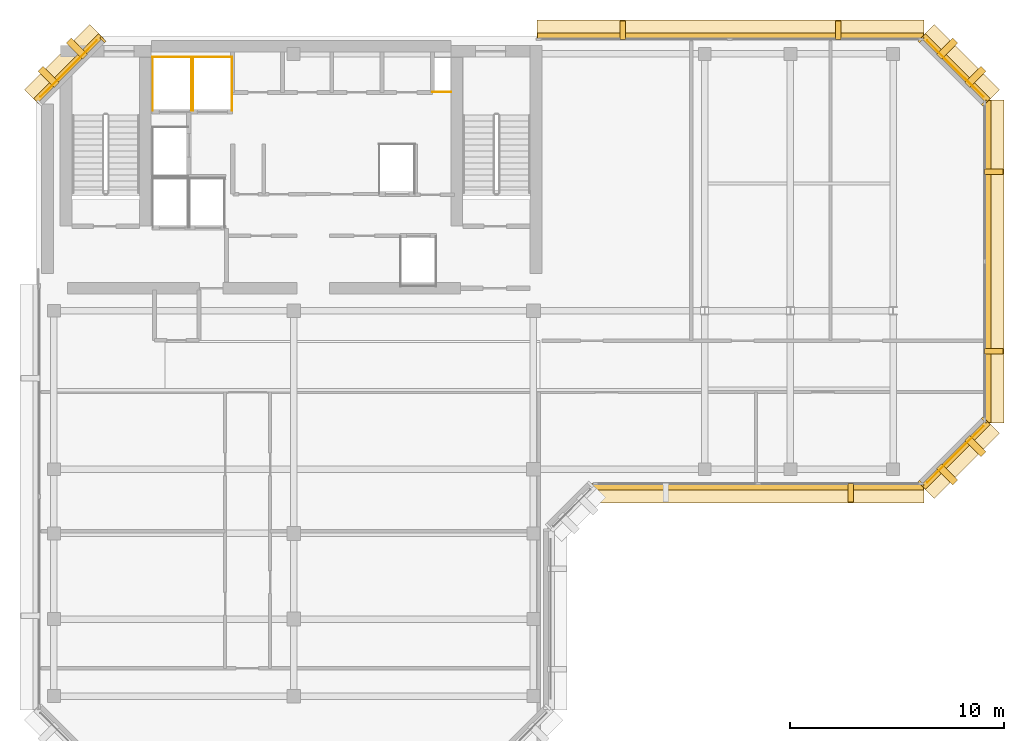
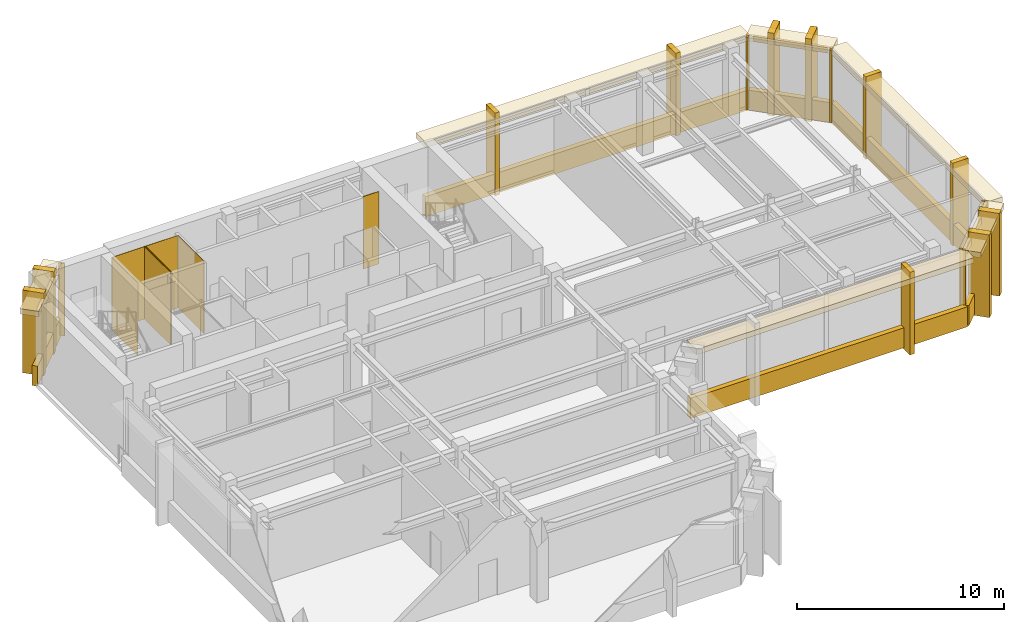
# One storey, part 9 of 9: 38 coverings.
"""IFC4 building model written with IfcOpenShell, lengths in metres."""

from ifc_helpers import new_model, si_unit, direction, frame, origin, origin_2d, place, context, subcontext, project, spatial, polyline, rectangle, outline, extrude, material, layer, layer_set, type_object, element, save


model = new_model("IFC4")

# Units and contexts
model_context = context("Model", 3, precision=1e-05, world=origin(), true_north=direction((0.0, 1.0)))
body_context = subcontext(model_context, "Body", "Model", "MODEL_VIEW")
ifc_project = project(units=[si_unit("LENGTHUNIT", "METRE"), si_unit("AREAUNIT", "SQUARE_METRE"), si_unit("VOLUMEUNIT", "CUBIC_METRE"), si_unit("PLANEANGLEUNIT", "RADIAN"), si_unit("MASSUNIT", "GRAM", prefix="KILO")], contexts=[model_context])

# Site, building, storey
site_placement = place(None, origin())
site = spatial("IfcSite", under=ifc_project, at=site_placement, CompositionType="ELEMENT")
building_placement = place(site_placement, origin())
building = spatial("IfcBuilding", under=site, at=building_placement, Name="Kefirva Bronze Tower", CompositionType="ELEMENT")
storey_placement = place(building_placement, frame((0.0, 0.0, 361.35009765625)))
storey = spatial("IfcBuildingStorey", under=building, at=storey_placement, Name="L88", CompositionType="ELEMENT", Elevation=361.35009765625)

# Coverings
ifc_material = material(Name="Bronze anodised aluminium", Category="aluminium")
ifc_layer_1 = layer(ifc_material, 0.02001953125, Name="Bronze anodised aluminium")
ifc_layer_set_1 = layer_set([ifc_layer_1], Name="Bronze anodised aluminium")
covering_type_1 = type_object("IfcCoveringType", Name="Anodised Bronze Spandrel Cladding 20mm", PredefinedType="CLADDING", material=ifc_layer_set_1)
covering_1_placement = place(storey_placement, frame((33.699951171875, 24.9599609375, -0.16015625), z_axis=(0.0, 0.0, 1.0), x_axis=(1.0, 0.0, 0.0)))
element("IfcCovering", 1, at=covering_1_placement, inside=storey, type_object=covering_type_1, Name="L88 Streamline Horizontal Spandrel Band 4", PredefinedType="CLADDING", context=body_context, shape_type="SweptSolid", body=[
    extrude(rectangle(XDim=15.43994140625, YDim=0.280029296875, at=origin_2d()), origin(), (0.0, 0.0, 1.0), 1.179931640625),
])
covering_2_placement = place(storey_placement, frame((42.906982421875, 26.492919921875, 3.849853515625), z_axis=(0.0, 0.0, 1.0), x_axis=(0.707106781187, 0.707106781187, 0.0)))
element("IfcCovering", 2, at=covering_2_placement, inside=storey, type_object=covering_type_1, Name="L88 Bronze Spandrel Cladding 4", PredefinedType="CLADDING", context=body_context, shape_type="SweptSolid", body=[
    extrude(rectangle(XDim=3.719482421875, YDim=0.02001953125, at=origin_2d()), origin(), (0.0, 0.0, 1.0), 0.39990234375),
])
for number, where, z_axis, x_axis, name in (
    (3, (41.311767578125, 25.137939453125, 0.0), (0.0, 0.0, 1.0), (0.707106781187, 0.707106781187, 0.0), "L88 Facade Joint Closure Panel 4S"),
    (4, (44.26220703125, 28.08837890625, 0.0), (0.0, 0.0, 1.0), (0.707106781187, 0.707106781187, 0.0), "L88 Facade Joint Closure Panel 4E"),
):
    element("IfcCovering", number, at=place(storey_placement, frame(where, z_axis=z_axis, x_axis=x_axis)), inside=storey, type_object=covering_type_1, Name=name, PredefinedType="CLADDING", context=body_context, shape_type="SweptSolid", body=[
        extrude(rectangle(XDim=0.10009765625, YDim=0.320068359375, at=origin_2d()), origin(), (0.0, 0.0, 1.0), 4.27001953125),
    ])
covering_3_placement = place(storey_placement, frame((42.92822265625, 26.4716796875, -0.16015625), z_axis=(0.0, 0.0, 1.0), x_axis=(0.707106781187, 0.707106781187, 0.0)))
element("IfcCovering", 5, at=covering_3_placement, inside=storey, type_object=covering_type_1, Name="L88 Streamline Horizontal Spandrel Band 5", PredefinedType="CLADDING", context=body_context, shape_type="SweptSolid", body=[
    extrude(rectangle(XDim=4.28271484375, YDim=0.280029296875, at=origin_2d()), origin(), (0.0, 0.0, 1.0), 1.179931640625),
])
covering_4_placement = place(storey_placement, frame((44.43994140625, 35.5, -0.16015625), z_axis=(0.0, 0.0, 1.0), x_axis=(0.0, 1.0, 0.0)))
element("IfcCovering", 6, at=covering_4_placement, inside=storey, type_object=covering_type_1, Name="L88 Streamline Horizontal Spandrel Band 6", PredefinedType="CLADDING", context=body_context, shape_type="SweptSolid", body=[
    extrude(rectangle(XDim=15.0400390625, YDim=0.280029296875, at=origin_2d()), origin(), (0.0, 0.0, 1.0), 1.179931640625),
])
covering_5_placement = place(storey_placement, frame((42.906982421875, 44.507080078125, 3.849853515625), z_axis=(0.0, 0.0, 1.0), x_axis=(-0.707106781187, 0.707106781187, 0.0)))
element("IfcCovering", 7, at=covering_5_placement, inside=storey, type_object=covering_type_1, Name="L88 Bronze Spandrel Cladding 5", PredefinedType="CLADDING", context=body_context, shape_type="SweptSolid", body=[
    extrude(rectangle(XDim=3.719482421875, YDim=0.02001953125, at=origin_2d()), origin(), (0.0, 0.0, 1.0), 0.39990234375),
])
for number, where, z_axis, x_axis, name in (
    (8, (44.26220703125, 42.91162109375, 0.0), (0.0, 0.0, 1.0), (-0.707106781187, 0.707106781187, 0.0), "L88 Facade Joint Closure Panel 5S"),
    (9, (41.311767578125, 45.862060546875, 0.0), (0.0, 0.0, 1.0), (-0.707106781187, 0.707106781187, 0.0), "L88 Facade Joint Closure Panel 5E"),
):
    element("IfcCovering", number, at=place(storey_placement, frame(where, z_axis=z_axis, x_axis=x_axis)), inside=storey, type_object=covering_type_1, Name=name, PredefinedType="CLADDING", context=body_context, shape_type="SweptSolid", body=[
        extrude(rectangle(XDim=0.10009765625, YDim=0.320068359375, at=origin_2d()), origin(), (0.0, 0.0, 1.0), 4.27001953125),
    ])
covering_6_placement = place(storey_placement, frame((42.92822265625, 44.5283203125, -0.16015625), z_axis=(0.0, 0.0, 1.0), x_axis=(-0.707106781187, 0.707106781187, 0.0)))
element("IfcCovering", 10, at=covering_6_placement, inside=storey, type_object=covering_type_1, Name="L88 Streamline Horizontal Spandrel Band 7", PredefinedType="CLADDING", context=body_context, shape_type="SweptSolid", body=[
    extrude(rectangle(XDim=4.28271484375, YDim=0.280029296875, at=origin_2d()), origin(), (0.0, 0.0, 1.0), 1.179931640625),
])
covering_7_placement = place(storey_placement, frame((32.402587890625, 46.0400390625, -0.16015625), z_axis=(0.0, 0.0, 1.0), x_axis=(-1.0, 0.0, 0.0)))
element("IfcCovering", 11, at=covering_7_placement, inside=storey, type_object=covering_type_1, Name="L88 Streamline Horizontal Spandrel Band 8", PredefinedType="CLADDING", context=body_context, shape_type="SweptSolid", body=[
    extrude(rectangle(XDim=18.034912109375, YDim=0.280029296875, at=origin_2d()), origin(), (0.0, 0.0, 1.0), 1.179931640625),
])
covering_8_placement = place(storey_placement, frame((1.492919921875, 44.507080078125, 3.849853515625), z_axis=(0.0, 0.0, 1.0), x_axis=(-0.707106781187, -0.707106781187, 0.0)))
element("IfcCovering", 12, at=covering_8_placement, inside=storey, type_object=covering_type_1, Name="L88 Bronze Spandrel Cladding 6", PredefinedType="CLADDING", context=body_context, shape_type="SweptSolid", body=[
    extrude(rectangle(XDim=3.719482421875, YDim=0.02001953125, at=origin_2d()), origin(), (0.0, 0.0, 1.0), 0.39990234375),
])
covering_9_placement = place(storey_placement, frame((3.08837890625, 45.862060546875, 0.0), z_axis=(0.0, 0.0, 1.0), x_axis=(-0.707106781187, -0.707106781187, 0.0)))
element("IfcCovering", 13, at=covering_9_placement, inside=storey, type_object=covering_type_1, Name="L88 Facade Joint Closure Panel 6S", PredefinedType="CLADDING", context=body_context, shape_type="SweptSolid", body=[
    extrude(rectangle(XDim=0.10009765625, YDim=0.320068359375, at=origin_2d()), origin(), (0.0, 0.0, 1.0), 4.27001953125),
])
covering_10_placement = place(storey_placement, frame((1.4716796875, 44.5283203125, -0.16015625), z_axis=(0.0, 0.0, 1.0), x_axis=(-0.707106781187, -0.707106781187, 0.0)))
element("IfcCovering", 14, at=covering_10_placement, inside=storey, type_object=covering_type_1, Name="L88 Streamline Horizontal Spandrel Band 9", PredefinedType="CLADDING", context=body_context, shape_type="SweptSolid", body=[
    extrude(rectangle(XDim=4.28271484375, YDim=0.280029296875, at=origin_2d()), origin(), (0.0, 0.0, 1.0), 1.179931640625),
])
covering_11_placement = place(storey_placement, origin())
element("IfcCovering", 15, at=covering_11_placement, inside=storey, type_object=covering_type_1, Name="L88 Lift SV1 Hoistway Liner N", PredefinedType="CLADDING", context=body_context, shape_type="SweptSolid", body=[
    extrude(outline(polyline([(5.39990234375, 45.0400390625), (7.260009765625, 45.0400390625), (7.260009765625, 45.06005859375), (5.39990234375, 45.06005859375), (5.39990234375, 45.0400390625)])), origin(), (0.0, 0.0, 1.0), 4.27001953125),
])
covering_12_placement = place(storey_placement, origin())
element("IfcCovering", 16, at=covering_12_placement, inside=storey, type_object=covering_type_1, Name="L88 Lift SV1 Hoistway Liner W", PredefinedType="CLADDING", context=body_context, shape_type="SweptSolid", body=[
    extrude(outline(polyline([(5.409912109375, 42.530029296875), (5.429931640625, 42.530029296875), (5.429931640625, 45.070068359375), (5.409912109375, 45.070068359375), (5.409912109375, 42.530029296875)])), origin(), (0.0, 0.0, 1.0), 4.27001953125),
])
covering_13_placement = place(storey_placement, origin())
element("IfcCovering", 17, at=covering_13_placement, inside=storey, type_object=covering_type_1, Name="L88 Lift SV1 Hoistway Liner E", PredefinedType="CLADDING", context=body_context, shape_type="SweptSolid", body=[
    extrude(outline(polyline([(7.22998046875, 42.530029296875), (7.25, 42.530029296875), (7.25, 45.070068359375), (7.22998046875, 45.070068359375), (7.22998046875, 42.530029296875)])), origin(), (0.0, 0.0, 1.0), 4.27001953125),
])
covering_14_placement = place(storey_placement, origin())
element("IfcCovering", 18, at=covering_14_placement, inside=storey, type_object=covering_type_1, Name="L88 Lift SV2 Hoistway Liner N", PredefinedType="CLADDING", context=body_context, shape_type="SweptSolid", body=[
    extrude(outline(polyline([(7.280029296875, 45.0400390625), (9.139892578125, 45.0400390625), (9.139892578125, 45.06005859375), (7.280029296875, 45.06005859375), (7.280029296875, 45.0400390625)])), origin(), (0.0, 0.0, 1.0), 4.27001953125),
])
covering_15_placement = place(storey_placement, origin())
element("IfcCovering", 19, at=covering_15_placement, inside=storey, type_object=covering_type_1, Name="L88 Lift SV2 Hoistway Liner W", PredefinedType="CLADDING", context=body_context, shape_type="SweptSolid", body=[
    extrude(outline(polyline([(7.2900390625, 42.530029296875), (7.31005859375, 42.530029296875), (7.31005859375, 45.070068359375), (7.2900390625, 45.070068359375), (7.2900390625, 42.530029296875)])), origin(), (0.0, 0.0, 1.0), 4.27001953125),
])
covering_16_placement = place(storey_placement, origin())
element("IfcCovering", 20, at=covering_16_placement, inside=storey, type_object=covering_type_1, Name="L88 Lift SV2 Hoistway Liner E", PredefinedType="CLADDING", context=body_context, shape_type="SweptSolid", body=[
    extrude(outline(polyline([(9.110107421875, 42.530029296875), (9.1298828125, 42.530029296875), (9.1298828125, 45.070068359375), (9.110107421875, 45.070068359375), (9.110107421875, 42.530029296875)])), origin(), (0.0, 0.0, 1.0), 4.27001953125),
])
covering_17_placement = place(storey_placement, origin())
element("IfcCovering", 21, at=covering_17_placement, inside=storey, type_object=covering_type_1, Name="L88 Core MEP Riser Shaft Liner South", PredefinedType="CLADDING", context=body_context, shape_type="SweptSolid", body=[
    extrude(outline(polyline([(18.47998046875, 43.39990234375), (19.360107421875, 43.39990234375), (19.360107421875, 43.429931640625), (18.47998046875, 43.429931640625), (18.47998046875, 43.39990234375)])), origin(), (0.0, 0.0, 1.0), 4.27001953125),
])
ifc_layer_2 = layer(ifc_material, 0.179931640625, Name="Bronze anodised aluminium")
ifc_layer_set_2 = layer_set([ifc_layer_2], Name="Bronze anodised aluminium")
covering_type_2 = type_object("IfcCoveringType", Name="Streamline Bronze Sunshade Eyebrow Cladding 180mm", PredefinedType="CLADDING", material=ifc_layer_set_2)
covering_18_placement = place(storey_placement, frame((33.699951171875, 24.68994140625, 3.94970703125), z_axis=(0.0, 0.0, 1.0), x_axis=(1.0, 0.0, 0.0)))
element("IfcCovering", 22, at=covering_18_placement, inside=storey, type_object=covering_type_2, Name="L88 Streamline Bronze Sunshade Eyebrow 4", PredefinedType="CLADDING", context=body_context, shape_type="SweptSolid", body=[
    extrude(rectangle(XDim=15.47998046875, YDim=0.93994140625, at=origin_2d()), origin(), (0.0, 0.0, 1.0), 0.320068359375),
])
covering_19_placement = place(storey_placement, frame((43.119140625, 26.28076171875, 3.94970703125), z_axis=(0.0, 0.0, 1.0), x_axis=(0.707106781187, 0.707106781187, 0.0)))
element("IfcCovering", 23, at=covering_19_placement, inside=storey, type_object=covering_type_2, Name="L88 Streamline Bronze Sunshade Eyebrow 5", PredefinedType="CLADDING", context=body_context, shape_type="SweptSolid", body=[
    extrude(rectangle(XDim=4.322509765625, YDim=0.93994140625, at=origin_2d()), origin(), (0.0, 0.0, 1.0), 0.320068359375),
])
covering_20_placement = place(storey_placement, frame((44.7099609375, 35.5, 3.94970703125), z_axis=(0.0, 0.0, 1.0), x_axis=(0.0, 1.0, 0.0)))
element("IfcCovering", 24, at=covering_20_placement, inside=storey, type_object=covering_type_2, Name="L88 Streamline Bronze Sunshade Eyebrow 6", PredefinedType="CLADDING", context=body_context, shape_type="SweptSolid", body=[
    extrude(rectangle(XDim=15.080078125, YDim=0.93994140625, at=origin_2d()), origin(), (0.0, 0.0, 1.0), 0.320068359375),
])
covering_21_placement = place(storey_placement, frame((43.119140625, 44.71923828125, 3.94970703125), z_axis=(0.0, 0.0, 1.0), x_axis=(-0.707106781187, 0.707106781187, 0.0)))
element("IfcCovering", 25, at=covering_21_placement, inside=storey, type_object=covering_type_2, Name="L88 Streamline Bronze Sunshade Eyebrow 7", PredefinedType="CLADDING", context=body_context, shape_type="SweptSolid", body=[
    extrude(rectangle(XDim=4.322509765625, YDim=0.93994140625, at=origin_2d()), origin(), (0.0, 0.0, 1.0), 0.320068359375),
])
covering_22_placement = place(storey_placement, frame((32.402587890625, 46.31005859375, 3.94970703125), z_axis=(0.0, 0.0, 1.0), x_axis=(-1.0, 0.0, 0.0)))
element("IfcCovering", 26, at=covering_22_placement, inside=storey, type_object=covering_type_2, Name="L88 Streamline Bronze Sunshade Eyebrow 8", PredefinedType="CLADDING", context=body_context, shape_type="SweptSolid", body=[
    extrude(rectangle(XDim=18.074951171875, YDim=0.93994140625, at=origin_2d()), origin(), (0.0, 0.0, 1.0), 0.320068359375),
])
covering_23_placement = place(storey_placement, frame((1.28076171875, 44.71923828125, 3.94970703125), z_axis=(0.0, 0.0, 1.0), x_axis=(-0.707106781187, -0.707106781187, 0.0)))
element("IfcCovering", 27, at=covering_23_placement, inside=storey, type_object=covering_type_2, Name="L88 Streamline Bronze Sunshade Eyebrow 9", PredefinedType="CLADDING", context=body_context, shape_type="SweptSolid", body=[
    extrude(rectangle(XDim=4.322509765625, YDim=0.93994140625, at=origin_2d()), origin(), (0.0, 0.0, 1.0), 0.320068359375),
])
ifc_layer_3 = layer(ifc_material, 0.260009765625, Name="Bronze anodised aluminium")
ifc_layer_set_3 = layer_set([ifc_layer_3], Name="Bronze anodised aluminium")
covering_type_3 = type_object("IfcCoveringType", Name="Unbroken Bronze Buttress Fin Cladding 260mm", PredefinedType="CLADDING", material=ifc_layer_set_3)
covering_24_placement = place(storey_placement, frame((38.011962890625, 24.699951171875, -0.250244140625), z_axis=(0.0, 0.0, 1.0), x_axis=(1.0, 0.0, 0.0)))
element("IfcCovering", 28, at=covering_24_placement, inside=storey, type_object=covering_type_3, Name="L88 Unbroken Vertical Bronze Rib Fin 10", PredefinedType="CLADDING", context=body_context, shape_type="SweptSolid", body=[
    extrude(rectangle(XDim=0.260009765625, YDim=0.8798828125, at=origin_2d()), origin(), (0.0, 0.0, 1.0), 4.8701171875),
])
for number, where, z_axis, x_axis, name in (
    (29, (42.522705078125, 25.55712890625, -0.250244140625), (0.0, 0.0, 1.0), (0.707106781187, 0.707106781187, 0.0), "L88 Chamfered Corner Buttress Fin Cladding 11"),
    (30, (43.8427734375, 26.877197265625, -0.250244140625), (0.0, 0.0, 1.0), (0.707106781187, 0.707106781187, 0.0), "L88 Chamfered Corner Buttress Fin Cladding 12"),
):
    element("IfcCovering", number, at=place(storey_placement, frame(where, z_axis=z_axis, x_axis=x_axis)), inside=storey, type_object=covering_type_3, Name=name, PredefinedType="CLADDING", context=body_context, shape_type="SweptSolid", body=[
        extrude(rectangle(XDim=0.340087890625, YDim=1.080078125, at=origin_2d()), origin(), (0.0, 0.0, 1.0), 4.8701171875),
    ])
for number, where, z_axis, x_axis, name in (
    (31, (44.699951171875, 31.300048828125, -0.250244140625), (0.0, 0.0, 1.0), (0.0, 1.0, 0.0), "L88 Unbroken Vertical Bronze Rib Fin 13"),
    (32, (44.699951171875, 39.699951171875, -0.250244140625), (0.0, 0.0, 1.0), (0.0, 1.0, 0.0), "L88 Unbroken Vertical Bronze Rib Fin 14"),
):
    element("IfcCovering", number, at=place(storey_placement, frame(where, z_axis=z_axis, x_axis=x_axis)), inside=storey, type_object=covering_type_3, Name=name, PredefinedType="CLADDING", context=body_context, shape_type="SweptSolid", body=[
        extrude(rectangle(XDim=0.260009765625, YDim=0.8798828125, at=origin_2d()), origin(), (0.0, 0.0, 1.0), 4.8701171875),
    ])
for number, where, z_axis, x_axis, name in (
    (33, (43.8427734375, 44.122802734375, -0.250244140625), (0.0, 0.0, 1.0), (-0.707106781187, 0.707106781187, 0.0), "L88 Chamfered Corner Buttress Fin Cladding 15"),
    (34, (42.522705078125, 45.44287109375, -0.250244140625), (0.0, 0.0, 1.0), (-0.707106781187, 0.707106781187, 0.0), "L88 Chamfered Corner Buttress Fin Cladding 16"),
):
    element("IfcCovering", number, at=place(storey_placement, frame(where, z_axis=z_axis, x_axis=x_axis)), inside=storey, type_object=covering_type_3, Name=name, PredefinedType="CLADDING", context=body_context, shape_type="SweptSolid", body=[
        extrude(rectangle(XDim=0.340087890625, YDim=1.080078125, at=origin_2d()), origin(), (0.0, 0.0, 1.0), 4.8701171875),
    ])
for number, where, z_axis, x_axis, name in (
    (35, (37.441162109375, 46.300048828125, -0.250244140625), (0.0, 0.0, 1.0), (-1.0, 0.0, 0.0), "L88 Unbroken Vertical Bronze Rib Fin 17"),
    (36, (27.364013671875, 46.300048828125, -0.250244140625), (0.0, 0.0, 1.0), (-1.0, 0.0, 0.0), "L88 Unbroken Vertical Bronze Rib Fin 18"),
):
    element("IfcCovering", number, at=place(storey_placement, frame(where, z_axis=z_axis, x_axis=x_axis)), inside=storey, type_object=covering_type_3, Name=name, PredefinedType="CLADDING", context=body_context, shape_type="SweptSolid", body=[
        extrude(rectangle(XDim=0.260009765625, YDim=0.8798828125, at=origin_2d()), origin(), (0.0, 0.0, 1.0), 4.8701171875),
    ])
for number, where, z_axis, x_axis, name in (
    (37, (1.877197265625, 45.44287109375, -0.250244140625), (0.0, 0.0, 1.0), (-0.707106781187, -0.707106781187, 0.0), "L88 Chamfered Corner Buttress Fin Cladding 19"),
    (38, (0.55712890625, 44.122802734375, -0.250244140625), (0.0, 0.0, 1.0), (-0.707106781187, -0.707106781187, 0.0), "L88 Chamfered Corner Buttress Fin Cladding 20"),
):
    element("IfcCovering", number, at=place(storey_placement, frame(where, z_axis=z_axis, x_axis=x_axis)), inside=storey, type_object=covering_type_3, Name=name, PredefinedType="CLADDING", context=body_context, shape_type="SweptSolid", body=[
        extrude(rectangle(XDim=0.340087890625, YDim=1.080078125, at=origin_2d()), origin(), (0.0, 0.0, 1.0), 4.8701171875),
    ])

save(model, "model.ifc")
